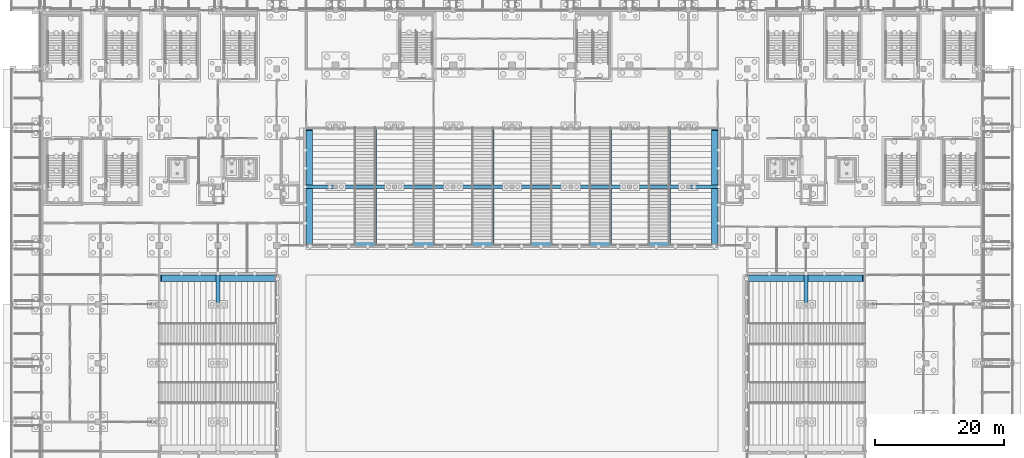
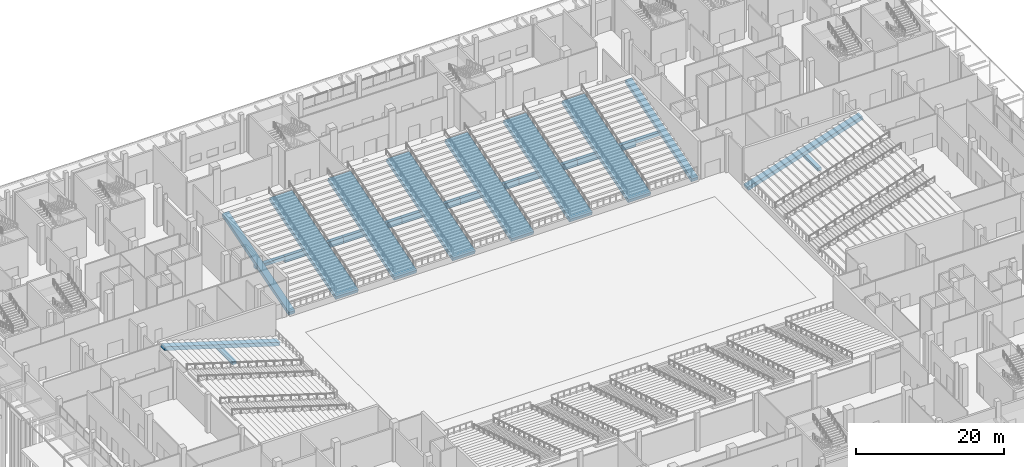
# One storey, part 55 of 129: 20 beams.
"""IFC4 building model written with IfcOpenShell, lengths in metres."""

from ifc_helpers import new_model, si_unit, direction, frame, origin, origin_2d, place, context, subcontext, project, spatial, rectangle, extrude, material, material_profile, profile_set, type_object, element, save


model = new_model("IFC4")

# Units and contexts
model_context = context("Model", 3, precision=1e-05, world=origin(), true_north=direction((0.0, 1.0)))
body_context = subcontext(model_context, "Body", "Model", "MODEL_VIEW")
ifc_project = project(units=[si_unit("LENGTHUNIT", "METRE"), si_unit("AREAUNIT", "SQUARE_METRE"), si_unit("VOLUMEUNIT", "CUBIC_METRE"), si_unit("PLANEANGLEUNIT", "RADIAN"), si_unit("MASSUNIT", "GRAM", prefix="KILO")], contexts=[model_context])

# Site, building, storey
site_placement = place(None, origin())
site = spatial("IfcSite", under=ifc_project, at=site_placement, CompositionType="ELEMENT")
building_placement = place(site_placement, origin())
building = spatial("IfcBuilding", under=site, at=building_placement, Name="Shirokan Park Arena", CompositionType="ELEMENT")
storey_placement = place(building_placement, origin())
storey = spatial("IfcBuildingStorey", under=building, at=storey_placement, Name="L00", CompositionType="ELEMENT", Elevation=0.0)

# Beams
ifc_material = material(Name="Concrete C35", Category="concrete")
ifc_material_profile_1 = material_profile(ifc_material, rectangle(XDim=1.0, YDim=0.60009765625, at=origin_2d()), Name="1000x600")
ifc_profile_set_1 = profile_set([ifc_material_profile_1], Name="Concrete C35")
beam_type_1 = type_object("IfcBeamType", Name="RC end raker 1000x600", PredefinedType="USERDEFINED", material=ifc_profile_set_1)
for number, where, z_axis, x_axis, name in (
    (1, (41.449951171875, 72.800048828125, 0.246826171875), (0.0, 0.95577675381, 0.2940931772), (-1.0, 0.0, 0.0), "End raker lower N 1"),
    (2, (104.14990234375, 72.800048828125, 0.246826171875), (0.0, 0.95577675381, 0.2940931772), (-1.0, 0.0, 0.0), "End raker lower N 2"),
):
    element("IfcBeam", number, at=place(storey_placement, frame(where, z_axis=z_axis, x_axis=x_axis)), inside=storey, type_object=beam_type_1, Name=name, ObjectType="END RAKER BEAM", PredefinedType="USERDEFINED", context=body_context, shape_type="SweptSolid", body=[
        extrude(rectangle(XDim=1.0, YDim=0.60009765625, at=origin_2d()), origin(), (0.0, 0.0, 1.0), 18.72802734375),
    ])
beam_1_placement = place(storey_placement, frame((109.199951171875, 67.75, 0.246826171875), z_axis=(0.955777881287, 0.0, 0.294089512975), x_axis=(0.0, 1.0, 0.0)))
element("IfcBeam", 3, at=beam_1_placement, inside=storey, type_object=beam_type_1, Name="End raker lower E 2", ObjectType="END RAKER BEAM", PredefinedType="USERDEFINED", context=body_context, shape_type="SweptSolid", body=[
    extrude(rectangle(XDim=1.0, YDim=0.60009765625, at=origin_2d()), origin(), (0.0, 0.0, 1.0), 18.728271484375),
])
beam_2_placement = place(storey_placement, frame((36.39990234375, 67.75, 0.246826171875), z_axis=(-0.95577675381, 0.0, 0.2940931772), x_axis=(0.0, -1.0, 0.0)))
element("IfcBeam", 4, at=beam_2_placement, inside=storey, type_object=beam_type_1, Name="End raker lower W 2", ObjectType="END RAKER BEAM", PredefinedType="USERDEFINED", context=body_context, shape_type="SweptSolid", body=[
    extrude(rectangle(XDim=1.0, YDim=0.60009765625, at=origin_2d()), origin(), (0.0, 0.0, 1.0), 18.72802734375),
])
ifc_material_profile_2 = material_profile(ifc_material, rectangle(XDim=3.5, YDim=0.60009765625, at=origin_2d()), Name="3500x600")
ifc_profile_set_2 = profile_set([ifc_material_profile_2], Name="Concrete C35")
beam_type_2 = type_object("IfcBeamType", Name="RC raker 3500x600", PredefinedType="USERDEFINED", material=ifc_profile_set_2)
for number, where, z_axis, x_axis, name in (
    (5, (50.050048828125, 72.800048828125, 0.246826171875), (0.0, 0.95577675381, 0.2940931772), (-1.0, 0.0, 0.0), "Raker lower N 1"),
    (6, (59.14990234375, 72.800048828125, 0.246826171875), (0.0, 0.95577675381, 0.2940931772), (-1.0, 0.0, 0.0), "Raker lower N 2"),
    (7, (68.25, 72.800048828125, 0.246826171875), (0.0, 0.95577675381, 0.2940931772), (-1.0, 0.0, 0.0), "Raker lower N 3"),
    (8, (77.35009765625, 72.800048828125, 0.246826171875), (0.0, 0.95577675381, 0.2940931772), (-1.0, 0.0, 0.0), "Raker lower N 4"),
    (9, (86.449951171875, 72.800048828125, 0.246826171875), (0.0, 0.95577675381, 0.2940931772), (-1.0, 0.0, 0.0), "Raker lower N 5"),
    (10, (95.550048828125, 72.800048828125, 0.246826171875), (0.0, 0.95577675381, 0.2940931772), (-1.0, 0.0, 0.0), "Raker lower N 6"),
):
    element("IfcBeam", number, at=place(storey_placement, frame(where, z_axis=z_axis, x_axis=x_axis)), inside=storey, type_object=beam_type_2, Name=name, ObjectType="RAKER BEAM", PredefinedType="USERDEFINED", context=body_context, shape_type="SweptSolid", body=[
        extrude(rectangle(XDim=3.5, YDim=0.60009765625, at=origin_2d()), origin(), (0.0, 0.0, 1.0), 18.72802734375),
    ])
ifc_material_profile_3 = material_profile(ifc_material, rectangle(XDim=0.60009765625, YDim=1.0, at=origin_2d()), Name="600x1000")
ifc_profile_set_3 = profile_set([ifc_material_profile_3], Name="Concrete C35")
beam_type_3 = type_object("IfcBeamType", Name="RC stand girder 600x1000", PredefinedType="BEAM", material=ifc_profile_set_3)
beam_3_placement = place(storey_placement, frame((45.5, 81.89990234375, 2.23291015625), z_axis=(1.0, 0.0, 0.0), x_axis=(0.0, 1.0, 0.0)))
element("IfcBeam", 11, at=beam_3_placement, inside=storey, type_object=beam_type_3, Name="Stand girder N R2 2", PredefinedType="BEAM", context=body_context, shape_type="SweptSolid", body=[
    extrude(rectangle(XDim=0.60009765625, YDim=1.0, at=origin_2d()), origin(), (0.0, 0.0, 1.0), 9.10009765625),
])
beam_4_placement = place(storey_placement, frame((54.60009765625, 81.89990234375, 2.23291015625), z_axis=(1.0, 0.0, 0.0), x_axis=(0.0, 1.0, 0.0)))
element("IfcBeam", 12, at=beam_4_placement, inside=storey, type_object=beam_type_3, Name="Stand girder N R2 3", PredefinedType="BEAM", context=body_context, shape_type="SweptSolid", body=[
    extrude(rectangle(XDim=0.60009765625, YDim=1.0, at=origin_2d()), origin(), (0.0, 0.0, 1.0), 9.099853515625),
])
beam_5_placement = place(storey_placement, frame((63.699951171875, 81.89990234375, 2.23291015625), z_axis=(1.0, 0.0, 0.0), x_axis=(0.0, 1.0, 0.0)))
element("IfcBeam", 13, at=beam_5_placement, inside=storey, type_object=beam_type_3, Name="Stand girder N R2 4", PredefinedType="BEAM", context=body_context, shape_type="SweptSolid", body=[
    extrude(rectangle(XDim=0.60009765625, YDim=1.0, at=origin_2d()), origin(), (0.0, 0.0, 1.0), 9.10009765625),
])
beam_6_placement = place(storey_placement, frame((72.800048828125, 81.89990234375, 2.23291015625), z_axis=(1.0, 0.0, 0.0), x_axis=(0.0, 1.0, 0.0)))
element("IfcBeam", 14, at=beam_6_placement, inside=storey, type_object=beam_type_3, Name="Stand girder N R2 5", PredefinedType="BEAM", context=body_context, shape_type="SweptSolid", body=[
    extrude(rectangle(XDim=0.60009765625, YDim=1.0, at=origin_2d()), origin(), (0.0, 0.0, 1.0), 9.099853515625),
])
for number, where, z_axis, x_axis, name in (
    (15, (81.89990234375, 81.89990234375, 2.23291015625), (1.0, 0.0, 0.0), (0.0, 1.0, 0.0), "Stand girder N R2 6"),
    (16, (91.0, 81.89990234375, 2.23291015625), (1.0, 0.0, 0.0), (0.0, 1.0, 0.0), "Stand girder N R2 7"),
):
    element("IfcBeam", number, at=place(storey_placement, frame(where, z_axis=z_axis, x_axis=x_axis)), inside=storey, type_object=beam_type_3, Name=name, PredefinedType="BEAM", context=body_context, shape_type="SweptSolid", body=[
        extrude(rectangle(XDim=0.60009765625, YDim=1.0, at=origin_2d()), origin(), (0.0, 0.0, 1.0), 9.10009765625),
    ])
ifc_material_profile_4 = material_profile(ifc_material, rectangle(XDim=0.60009765625, YDim=0.5, at=origin_2d()), Name="600x500")
ifc_profile_set_4 = profile_set([ifc_material_profile_4], Name="Concrete C35")
beam_type_4 = type_object("IfcBeamType", Name="RC stand girder end bay 600x500", PredefinedType="BEAM", material=ifc_profile_set_4)
beam_7_placement = place(storey_placement, frame((40.949951171875, 81.89990234375, 2.48291015625), z_axis=(1.0, 0.0, 0.0), x_axis=(0.0, 1.0, 0.0)))
element("IfcBeam", 17, at=beam_7_placement, inside=storey, type_object=beam_type_4, Name="Stand girder N R2 1", PredefinedType="BEAM", context=body_context, shape_type="SweptSolid", body=[
    extrude(rectangle(XDim=0.60009765625, YDim=0.5, at=origin_2d()), origin(), (0.0, 0.0, 1.0), 4.550048828125),
])
beam_8_placement = place(storey_placement, frame((100.10009765625, 81.89990234375, 2.48291015625), z_axis=(1.0, 0.0, 0.0), x_axis=(0.0, 1.0, 0.0)))
element("IfcBeam", 18, at=beam_8_placement, inside=storey, type_object=beam_type_4, Name="Stand girder N R2 8", PredefinedType="BEAM", context=body_context, shape_type="SweptSolid", body=[
    extrude(rectangle(XDim=0.60009765625, YDim=0.5, at=origin_2d()), origin(), (0.0, 0.0, 1.0), 4.5498046875),
])
for number, where, z_axis, x_axis, name in (
    (19, (118.300048828125, 63.699951171875, 2.48291015625), (0.0, 1.0, 0.0), (-1.0, 0.0, 0.0), "Stand girder E R2 4"),
    (20, (27.300048828125, 63.699951171875, 2.48291015625), (0.0, 1.0, 0.0), (-1.0, 0.0, 0.0), "Stand girder W R2 4"),
):
    element("IfcBeam", number, at=place(storey_placement, frame(where, z_axis=z_axis, x_axis=x_axis)), inside=storey, type_object=beam_type_4, Name=name, PredefinedType="BEAM", context=body_context, shape_type="SweptSolid", body=[
        extrude(rectangle(XDim=0.60009765625, YDim=0.5, at=origin_2d()), origin(), (0.0, 0.0, 1.0), 4.550048828125),
    ])

save(model, "model.ifc")
